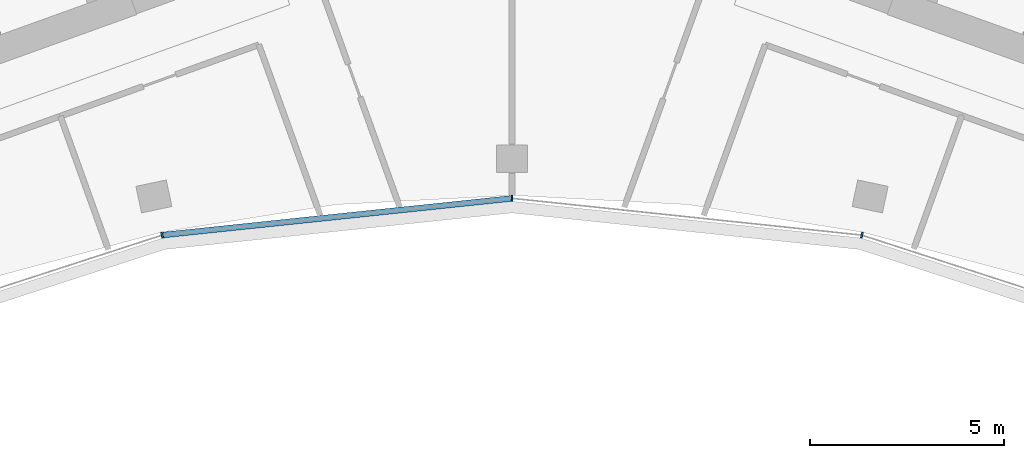
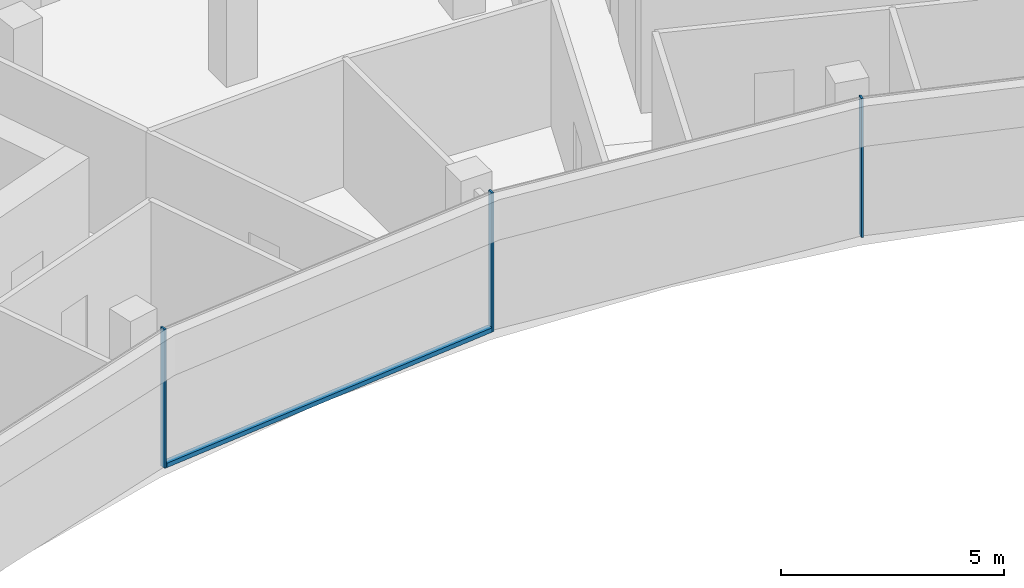
# One storey, part 5 of 18: 4 members, 1 element without a shape of its own.
"""IFC4 building model written with IfcOpenShell, lengths in metres."""

from ifc_helpers import new_model, si_unit, direction, frame, origin, origin_2d, place, context, subcontext, project, spatial, rectangle, extrude, material, layer, layer_set, material_profile, profile_set, type_object, element, aggregate, save


model = new_model("IFC4")

# Units and contexts
model_context = context("Model", 3, precision=1e-05, world=origin(), true_north=direction((0.0, 1.0)))
body_context = subcontext(model_context, "Body", "Model", "MODEL_VIEW")
ifc_project = project(units=[si_unit("LENGTHUNIT", "METRE"), si_unit("AREAUNIT", "SQUARE_METRE"), si_unit("VOLUMEUNIT", "CUBIC_METRE"), si_unit("PLANEANGLEUNIT", "RADIAN"), si_unit("MASSUNIT", "GRAM", prefix="KILO")], contexts=[model_context])

# Site, building, storey
site_placement = place(None, origin())
site = spatial("IfcSite", under=ifc_project, at=site_placement, CompositionType="ELEMENT")
building_placement = place(site_placement, origin())
building = spatial("IfcBuilding", under=site, at=building_placement, Name="Stone Belt Terrace Tower", CompositionType="ELEMENT")
storey_placement = place(building_placement, frame((0.0, 0.0, 261.800048828125)))
storey = spatial("IfcBuildingStorey", under=building, at=storey_placement, Name="L63", CompositionType="ELEMENT", Elevation=261.800048828125)

# Curtain wall, members
ifc_material = material(Name="Aluminium 6063-T6 anodised frame", Category="aluminium")
ifc_layer = layer(ifc_material, 0.14990234375)
ifc_layer_set = layer_set([ifc_layer], Name="CW-B unitised concave-face curtain wall")
curtain_wall_type = type_object("IfcCurtainWallType", Name="CW-B unitised concave-face curtain wall", PredefinedType="NOTDEFINED", material=ifc_layer_set)
curtain_wall_placement = place(storey_placement, origin())
curtain_wall = element("IfcCurtainWall", 1, at=curtain_wall_placement, inside=storey, type_object=curtain_wall_type, Name="CW-B concave face L63", PredefinedType="NOTDEFINED")
ifc_material_profile_1 = material_profile(ifc_material, rectangle(XDim=0.14990234375, YDim=0.050048828125, at=origin_2d()), Name="Aluminium 6063-T6 50x150")
ifc_profile_set_1 = profile_set([ifc_material_profile_1], Name="Aluminium 6063-T6 anodised frame")
member_type_1 = type_object("IfcMemberType", Name="CW-B mullion 50 x 150", PredefinedType="MULLION", material=ifc_profile_set_1)
member_1_placement = place(storey_placement, frame((-9.028564453125, 42.4755859375, 0.0), z_axis=(0.0, 0.0, 1.0), x_axis=(-0.207911690818, 0.978147600734, 0.0)))
member_1 = element("IfcMember", 2, at=member_1_placement, type_object=member_type_1, Name="CW-B mullion 4", PredefinedType="MULLION", context=body_context, shape_type="SweptSolid", body=[
    extrude(rectangle(XDim=0.14990234375, YDim=0.050048828125, at=origin_2d()), origin(), (0.0, 0.0, 1.0), 3.800048828125),
])
member_2_placement = place(storey_placement, frame((0.0, 43.424560546875, 0.0), z_axis=(0.0, 0.0, 1.0), x_axis=(0.0, 1.0, 0.0)))
member_2 = element("IfcMember", 3, at=member_2_placement, type_object=member_type_1, Name="CW-B mullion 5", PredefinedType="MULLION", context=body_context, shape_type="SweptSolid", body=[
    extrude(rectangle(XDim=0.14990234375, YDim=0.050048828125, at=origin_2d()), origin(), (0.0, 0.0, 1.0), 3.800048828125),
])
member_3_placement = place(storey_placement, frame((9.028564453125, 42.4755859375, 0.0), z_axis=(0.0, 0.0, 1.0), x_axis=(0.207911690818, 0.978147600734, 0.0)))
member_3 = element("IfcMember", 4, at=member_3_placement, type_object=member_type_1, Name="CW-B mullion 6", PredefinedType="MULLION", context=body_context, shape_type="SweptSolid", body=[
    extrude(rectangle(XDim=0.14990234375, YDim=0.050048828125, at=origin_2d()), origin(), (0.0, 0.0, 1.0), 3.800048828125),
])
ifc_material_profile_2 = material_profile(ifc_material, rectangle(XDim=0.14990234375, YDim=0.1201171875, at=origin_2d()), Name="Aluminium 6063-T6 150x120")
ifc_profile_set_2 = profile_set([ifc_material_profile_2], Name="Aluminium 6063-T6 anodised frame")
member_type_2 = type_object("IfcMemberType", Name="CW-B transom 120 x 150", PredefinedType="USERDEFINED", material=ifc_profile_set_2)
member_4_placement = place(storey_placement, frame((-8.995849609375, 42.47900390625, 0.06005859375), z_axis=(0.994521323407, 0.104533904969, 0.0), x_axis=(-0.104533904969, 0.994521323407, 0.0)))
member_4 = element("IfcMember", 5, at=member_4_placement, type_object=member_type_2, Name="CW-B transom 4.1", ObjectType="TRANSOM", PredefinedType="USERDEFINED", context=body_context, shape_type="SweptSolid", body=[
    extrude(rectangle(XDim=0.14990234375, YDim=0.1201171875, at=origin_2d()), origin(), (0.0, 0.0, 1.0), 9.0126953125),
])
aggregate(curtain_wall, [member_1, member_2, member_3, member_4])

save(model, "model.ifc")
